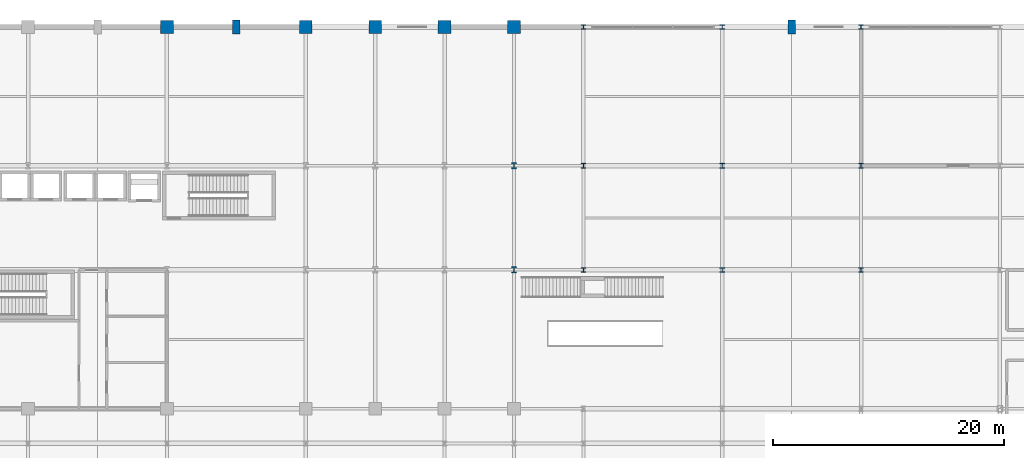
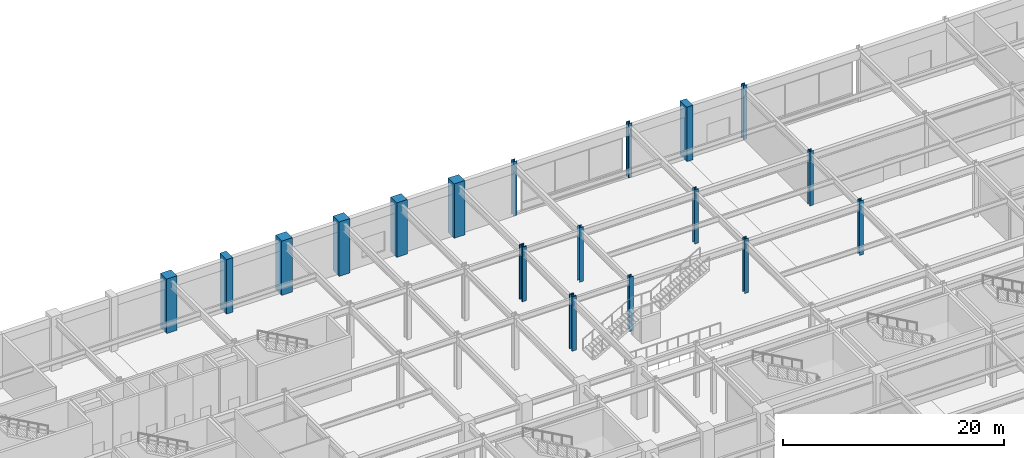
# One storey, part 10 of 105: 18 columns.
"""IFC4 building model written with IfcOpenShell, lengths in metres."""

from ifc_helpers import new_model, si_unit, direction, frame, origin, origin_2d, place, context, subcontext, project, spatial, rectangle, i_section, extrude, material, material_profile, profile_set, type_object, element, save


model = new_model("IFC4")

# Units and contexts
model_context = context("Model", 3, precision=1e-05, world=origin(), true_north=direction((0.0, 1.0)))
body_context = subcontext(model_context, "Body", "Model", "MODEL_VIEW")
ifc_project = project(units=[si_unit("LENGTHUNIT", "METRE"), si_unit("AREAUNIT", "SQUARE_METRE"), si_unit("VOLUMEUNIT", "CUBIC_METRE"), si_unit("PLANEANGLEUNIT", "RADIAN"), si_unit("MASSUNIT", "GRAM", prefix="KILO")], contexts=[model_context])

# Site, building, storey
site_placement = place(None, origin())
site = spatial("IfcSite", under=ifc_project, at=site_placement, CompositionType="ELEMENT")
building_placement = place(site_placement, origin())
building = spatial("IfcBuilding", under=site, at=building_placement, Name="Kaldorvane Square Convention Centre", CompositionType="ELEMENT")
storey_placement = place(building_placement, frame((0.0, 0.0, 6.0)))
storey = spatial("IfcBuildingStorey", under=building, at=storey_placement, Name="L01", CompositionType="ELEMENT", Elevation=6.0)

# Columns
ifc_material_1 = material(Name="Concrete f'c = 55 MPa (Normalweight)", Category="concrete")
ifc_material_profile_1 = material_profile(ifc_material_1, rectangle(XDim=1.100006103515625, YDim=1.100006103515625, at=origin_2d()), Name="RC1100X1100")
ifc_profile_set_1 = profile_set([ifc_material_profile_1], Name="Concrete f'c = 55 MPa (Normalweight)")
column_type_1 = type_object("IfcColumnType", Name="COL-RC-1100", PredefinedType="COLUMN", material=ifc_profile_set_1)
for number, where, z_axis, x_axis, name in (
    (1, (66.0, 117.0, 0.0), (0.0, 0.0, 1.0), (1.0, 0.0, 0.0), "Column CC-01 (L01)"),
    (2, (78.0, 117.0, 0.0), (0.0, 0.0, 1.0), (1.0, 0.0, 0.0), "Column CC-01 (L01)"),
    (3, (84.0, 117.0, 0.0), (0.0, 0.0, 1.0), (1.0, 0.0, 0.0), "Column CC-01 (L01)"),
    (4, (90.0, 117.0, 0.0), (0.0, 0.0, 1.0), (1.0, 0.0, 0.0), "Column CC-01 (L01)"),
    (5, (96.0, 117.0, 0.0), (0.0, 0.0, 1.0), (1.0, 0.0, 0.0), "Column CC-01 (L01)"),
):
    element("IfcColumn", number, at=place(storey_placement, frame(where, z_axis=z_axis, x_axis=x_axis)), inside=storey, type_object=column_type_1, Name=name, PredefinedType="COLUMN", context=body_context, shape_type="SweptSolid", body=[
        extrude(rectangle(XDim=1.100006103515625, YDim=1.100006103515625, at=origin_2d()), origin(), (0.0, 0.0, 1.0), 6.0),
    ])
ifc_material_2 = material(Name="Steel ASTM A992 Gr. 50", Category="steel")
ifc_material_profile_2 = material_profile(ifc_material_2, i_section(OverallWidth=0.40130615234375, OverallDepth=0.3993072509765625, WebThickness=0.02490234375, FlangeThickness=0.0395965576171875, FilletRadius=0.0305023193359375, at=origin_2d()), Name="W14X211")
ifc_profile_set_2 = profile_set([ifc_material_profile_2], Name="Steel ASTM A992 Gr. 50")
column_type_2 = type_object("IfcColumnType", Name="COL-STL-211", PredefinedType="COLUMN", material=ifc_profile_set_2)
for number, where, z_axis, x_axis, name in (
    (6, (102.0, 96.0, 0.0), (0.0, 0.0, 1.0), (1.0, 0.0, 0.0), "Column SC-08 (L01)"),
    (7, (102.0, 105.0, 0.0), (0.0, 0.0, 1.0), (1.0, 0.0, 0.0), "Column SC-08 (L01)"),
    (8, (102.0, 117.0, 0.0), (0.0, 0.0, 1.0), (1.0, 0.0, 0.0), "Column SC-08 (L01)"),
    (9, (114.0, 96.0, 0.0), (0.0, 0.0, 1.0), (1.0, 0.0, 0.0), "Column SC-08 (L01)"),
    (10, (114.0, 105.0, 0.0), (0.0, 0.0, 1.0), (1.0, 0.0, 0.0), "Column SC-08 (L01)"),
    (11, (114.0, 117.0, 0.0), (0.0, 0.0, 1.0), (1.0, 0.0, 0.0), "Column SC-08 (L01)"),
    (12, (126.0, 96.0, 0.0), (0.0, 0.0, 1.0), (1.0, 0.0, 0.0), "Column SC-08 (L01)"),
    (13, (126.0, 105.0, 0.0), (0.0, 0.0, 1.0), (1.0, 0.0, 0.0), "Column SC-08 (L01)"),
    (14, (126.0, 117.0, 0.0), (0.0, 0.0, 1.0), (1.0, 0.0, 0.0), "Column SC-08 (L01)"),
):
    element("IfcColumn", number, at=place(storey_placement, frame(where, z_axis=z_axis, x_axis=x_axis)), inside=storey, type_object=column_type_2, Name=name, PredefinedType="COLUMN", context=body_context, shape_type="SweptSolid", body=[
        extrude(i_section(OverallWidth=0.40130615234375, OverallDepth=0.3993072509765625, WebThickness=0.02490234375, FlangeThickness=0.0395965576171875, FilletRadius=0.0305023193359375, at=origin_2d()), origin(), (0.0, 0.0, 1.0), 6.0),
    ])
ifc_material_profile_3 = material_profile(ifc_material_2, i_section(OverallWidth=0.45440673828125, OverallDepth=0.569000244140625, WebThickness=0.0780029296875, FlangeThickness=0.12469482421875, FilletRadius=0.0305023193359375, at=origin_2d()), Name="W14X730")
ifc_profile_set_3 = profile_set([ifc_material_profile_3], Name="Steel ASTM A992 Gr. 50")
column_type_3 = type_object("IfcColumnType", Name="COL-STL-730", PredefinedType="COLUMN", material=ifc_profile_set_3)
for number, where, z_axis, x_axis, name in (
    (15, (96.0, 96.0, 0.0), (0.0, 0.0, 1.0), (1.0, 0.0, 0.0), "Column SC-01 (L01)"),
    (16, (96.0, 105.0, 0.0), (0.0, 0.0, 1.0), (1.0, 0.0, 0.0), "Column SC-01 (L01)"),
):
    element("IfcColumn", number, at=place(storey_placement, frame(where, z_axis=z_axis, x_axis=x_axis)), inside=storey, type_object=column_type_3, Name=name, PredefinedType="COLUMN", context=body_context, shape_type="SweptSolid", body=[
        extrude(i_section(OverallWidth=0.45440673828125, OverallDepth=0.569000244140625, WebThickness=0.0780029296875, FlangeThickness=0.12469482421875, FilletRadius=0.0305023193359375, at=origin_2d()), origin(), (0.0, 0.0, 1.0), 6.0),
    ])
ifc_material_profile_4 = material_profile(ifc_material_1, rectangle(XDim=0.649993896484375, YDim=1.1999969482421875, at=origin_2d()), Name="PIL1200X650")
ifc_profile_set_4 = profile_set([ifc_material_profile_4], Name="Concrete f'c = 55 MPa (Normalweight)")
column_type_4 = type_object("IfcColumnType", Name="PIL-BRUT-1200", PredefinedType="PILASTER", material=ifc_profile_set_4)
for number, where, z_axis, x_axis, name in (
    (17, (72.0, 117.0, 0.0), (0.0, 0.0, 1.0), (1.0, 0.0, 0.0), "Brutalist Colonnade Pilaster (L01)"),
    (18, (120.0, 117.0, 0.0), (0.0, 0.0, 1.0), (1.0, 0.0, 0.0), "Brutalist Colonnade Pilaster (L01)"),
):
    element("IfcColumn", number, at=place(storey_placement, frame(where, z_axis=z_axis, x_axis=x_axis)), inside=storey, type_object=column_type_4, Name=name, PredefinedType="PILASTER", context=body_context, shape_type="SweptSolid", body=[
        extrude(rectangle(XDim=0.649993896484375, YDim=1.1999969482421875, at=origin_2d()), origin(), (0.0, 0.0, 1.0), 6.0),
    ])

save(model, "model.ifc")
